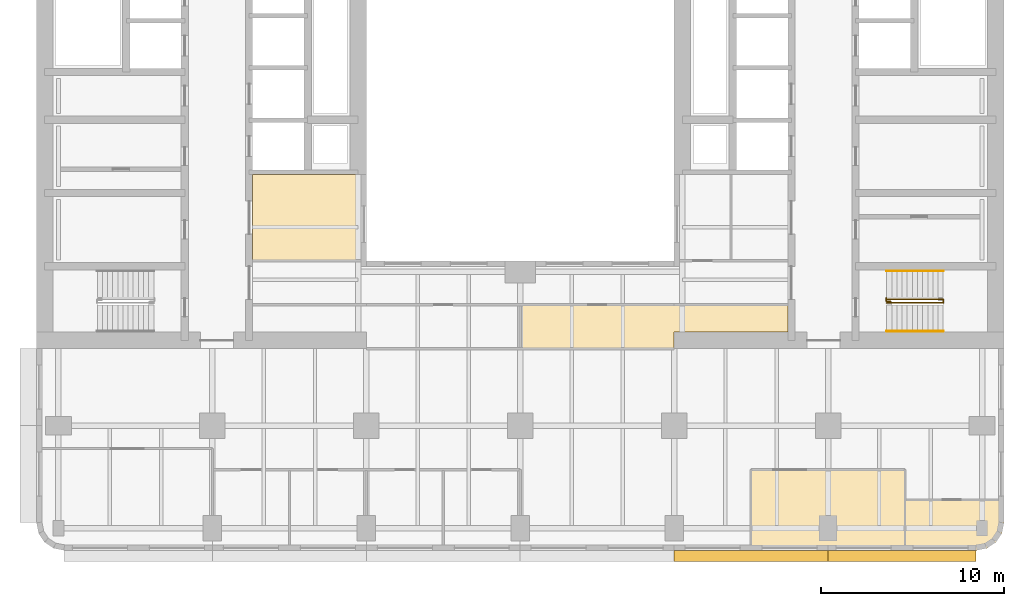
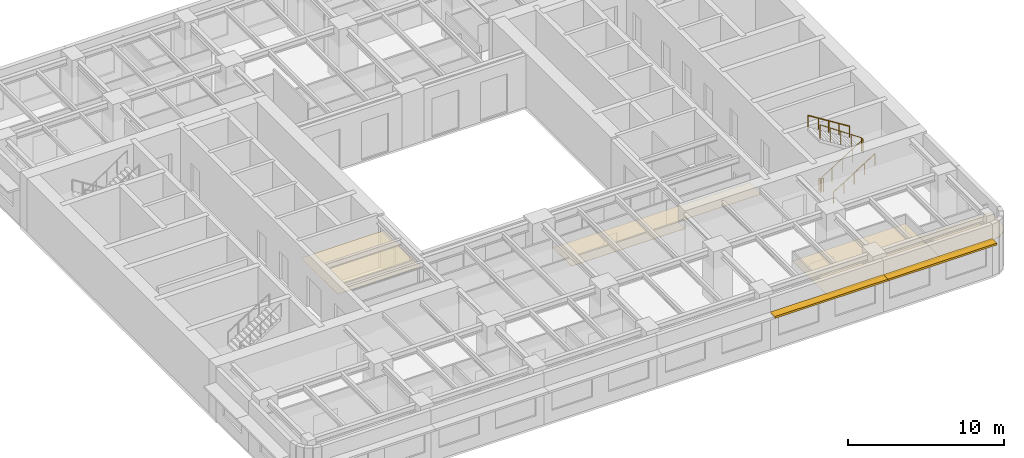
# One storey, part 10 of 11: 4 coverings, 4 railings, 2 shading devices.
"""IFC4 building model written with IfcOpenShell, lengths in metres."""

from ifc_helpers import new_model, si_unit, direction, frame, origin, origin_2d, place, context, subcontext, project, spatial, polyline, rectangle, circle, outline, extrude, material, layer, layer_set, type_object, element, save


model = new_model("IFC4")

# Units and contexts
model_context = context("Model", 3, precision=1e-05, world=origin(), true_north=direction((0.0, 1.0)))
body_context = subcontext(model_context, "Body", "Model", "MODEL_VIEW")
ifc_project = project(units=[si_unit("LENGTHUNIT", "METRE"), si_unit("AREAUNIT", "SQUARE_METRE"), si_unit("VOLUMEUNIT", "CUBIC_METRE"), si_unit("PLANEANGLEUNIT", "RADIAN"), si_unit("MASSUNIT", "GRAM", prefix="KILO")], contexts=[model_context])

# Site, building, storey
site_placement = place(None, origin())
site = spatial("IfcSite", under=ifc_project, at=site_placement, CompositionType="ELEMENT")
building_placement = place(site_placement, origin())
building = spatial("IfcBuilding", under=site, at=building_placement, Name="Claustro Exchange Tower", CompositionType="ELEMENT")
storey_placement = place(building_placement, frame((0.0, 0.0, 113.39990234375)))
storey = spatial("IfcBuildingStorey", under=building, at=storey_placement, Name="L25", CompositionType="ELEMENT", Elevation=113.39990234375)

# Coverings
ifc_material_1 = material(Name="Gypsum board ceiling", Category="gypsum board")
ifc_layer_1 = layer(ifc_material_1, 0.02490234375)
ifc_layer_set_1 = layer_set([ifc_layer_1], Name="Gypsum board ceiling")
covering_type = type_object("IfcCoveringType", Name="CL2 plasterboard ceiling", PredefinedType="CEILING", material=ifc_layer_set_1)
covering_1_placement = place(storey_placement, frame((0.0, 0.0, 2.800048828125)))
element("IfcCovering", 1, at=covering_1_placement, inside=storey, type_object=covering_type, Name="Ceiling CL2 L25-01", PredefinedType="CEILING", context=body_context, shape_type="SweptSolid", body=[
    extrude(outline(polyline([(51.60009765625, 3.10009765625), (51.60009765625, 4.35009765625), (46.199951171875, 4.35009765625), (46.199951171875, 1.60009765625), (50.10009765625, 1.60009765625), (50.674072265625, 1.714111328125), (51.16064453125, 2.039306640625), (51.48583984375, 2.52587890625), (51.60009765625, 3.10009765625)])), origin(), (0.0, 0.0, 1.0), 0.025146484375),
])
covering_2_placement = place(storey_placement, frame((0.0, 0.0, 2.800048828125)))
element("IfcCovering", 2, at=covering_2_placement, inside=storey, type_object=covering_type, Name="Ceiling CL2 L25-06", PredefinedType="CEILING", context=body_context, shape_type="SweptSolid", body=[
    extrude(outline(polyline([(37.800048828125, 1.60009765625), (46.199951171875, 1.60009765625), (46.199951171875, 6.0), (37.800048828125, 6.0), (37.800048828125, 1.60009765625)])), origin(), (0.0, 0.0, 1.0), 0.025146484375),
])
covering_3_placement = place(storey_placement, frame((0.0, 0.0, 2.800048828125)))
element("IfcCovering", 3, at=covering_3_placement, inside=storey, type_object=covering_type, Name="Ceiling CL2 L25-10", PredefinedType="CEILING", context=body_context, shape_type="SweptSolid", body=[
    extrude(outline(polyline([(39.800048828125, 13.5), (39.800048828125, 15.0), (33.60009765625, 15.0), (33.60009765625, 15.0), (25.199951171875, 15.0), (25.199951171875, 12.60009765625), (33.60009765625, 12.60009765625), (33.60009765625, 13.5), (39.800048828125, 13.5)])), origin(), (0.0, 0.0, 1.0), 0.025146484375),
])
covering_4_placement = place(storey_placement, frame((0.0, 0.0, 2.800048828125)))
element("IfcCovering", 4, at=covering_4_placement, inside=storey, type_object=covering_type, Name="Ceiling CL2 L25-12", PredefinedType="CEILING", context=body_context, shape_type="SweptSolid", body=[
    extrude(outline(polyline([(16.800048828125, 17.39990234375), (16.800048828125, 22.10009765625), (10.60009765625, 22.10009765625), (10.60009765625, 17.39990234375), (16.800048828125, 17.39990234375)])), origin(), (0.0, 0.0, 1.0), 0.025146484375),
])

# Railings
ifc_material_2 = material(Name="Steel balustrade, painted", Category="steel")
railing_type_1 = type_object("IfcRailingType", Name="GR2 1100 steel stair guard", PredefinedType="GUARDRAIL", material=ifc_material_2)
railing_1_placement = place(storey_placement, frame((45.199951171875, 15.10009765625, 0.175048828125)))
element("IfcRailing", 5, at=railing_1_placement, inside=storey, type_object=railing_type_1, Name="Stair well guard GR2 stair STEA L25", PredefinedType="GUARDRAIL", context=body_context, shape_type="SweptSolid", body=[
    extrude(circle(Radius=0.02392578125, at=origin_2d()), frame((0.0, 0.0, 1.076171875), z_axis=(0.847998304005, 0.0, 0.529998940003), x_axis=(0.0, 1.0, 0.0)), (0.0, 0.0, 1.0), 3.632080078125),
    extrude(circle(Radius=0.02392578125, at=origin_2d()), frame((3.080078125, 0.0, 3.0009765625), z_axis=(0.0, 1.0, 0.0), x_axis=(-1.0, 0.0, 0.0)), (0.0, 0.0, 1.0), 0.199951171875),
    extrude(circle(Radius=0.02392578125, at=origin_2d()), frame((3.080078125, 0.199951171875, 3.0009765625), z_axis=(-0.826221800596, 0.0, 0.563344953133), x_axis=(0.0, -1.0, 0.0)), (0.0, 0.0, 1.0), 3.72802734375),
    extrude(circle(Radius=0.02099609375, at=origin_2d()), origin(), (0.0, 0.0, 1.0), 1.052001953125),
    extrude(circle(Radius=0.02099609375, at=origin_2d()), frame((0.77001953125, 0.0, 0.481201171875)), (0.0, 0.0, 1.0), 1.052001953125),
    extrude(circle(Radius=0.02099609375, at=origin_2d()), frame((1.5400390625, 0.0, 0.96240234375)), (0.0, 0.0, 1.0), 1.052001953125),
    extrude(circle(Radius=0.02099609375, at=origin_2d()), frame((2.31005859375, 0.0, 1.44384765625)), (0.0, 0.0, 1.0), 1.052001953125),
    extrude(circle(Radius=0.02099609375, at=origin_2d()), frame((3.080078125, 0.0, 1.925048828125)), (0.0, 0.0, 1.0), 1.052001953125),
    extrude(circle(Radius=0.02099609375, at=origin_2d()), frame((3.080078125, 0.199951171875, 1.925048828125)), (0.0, 0.0, 1.0), 1.052001953125),
    extrude(circle(Radius=0.02099609375, at=origin_2d()), frame((2.31005859375, 0.199951171875, 2.4501953125)), (0.0, 0.0, 1.0), 1.052001953125),
    extrude(circle(Radius=0.02099609375, at=origin_2d()), frame((1.5400390625, 0.199951171875, 2.97509765625)), (0.0, 0.0, 1.0), 1.052001953125),
    extrude(circle(Radius=0.02099609375, at=origin_2d()), frame((0.77001953125, 0.199951171875, 3.5)), (0.0, 0.0, 1.0), 1.052001953125),
    extrude(circle(Radius=0.02099609375, at=origin_2d()), frame((0.0, 0.199951171875, 4.025146484375)), (0.0, 0.0, 1.0), 1.052001953125),
])
railing_2_placement = place(storey_placement, frame((45.39990234375, 15.169921875, 0.0)))
element("IfcRailing", 6, at=railing_2_placement, inside=storey, type_object=railing_type_1, Name="Stair guard GR2 STEA L25", PredefinedType="GUARDRAIL", context=body_context, shape_type="SweptSolid", body=[
    extrude(circle(Radius=0.02392578125, at=origin_2d()), frame((0.0, 0.0, 1.076171875), z_axis=(0.0, 1.0, 0.0), x_axis=(-1.0, 0.0, 0.0)), (0.0, 0.0, 1.0), 0.030029296875),
    extrude(circle(Radius=0.02392578125, at=origin_2d()), frame((0.0, 0.030029296875, 1.076171875), z_axis=(-1.0, 0.0, 0.0), x_axis=(0.0, -1.0, 0.0)), (0.0, 0.0, 1.0), 0.224853515625),
    extrude(circle(Radius=0.02392578125, at=origin_2d()), frame((-0.224853515625, 0.030029296875, 1.076171875), z_axis=(0.0, 1.0, 0.0), x_axis=(-1.0, 0.0, 0.0)), (0.0, 0.0, 1.0), 0.179931640625),
    extrude(circle(Radius=0.02099609375, at=origin_2d()), origin(), (0.0, 0.0, 1.0), 1.052001953125),
    extrude(circle(Radius=0.02099609375, at=origin_2d()), frame((0.0, 0.030029296875, 0.0)), (0.0, 0.0, 1.0), 1.052001953125),
    extrude(circle(Radius=0.02099609375, at=origin_2d()), frame((-0.224853515625, 0.030029296875, 0.0)), (0.0, 0.0, 1.0), 1.052001953125),
    extrude(circle(Radius=0.02099609375, at=origin_2d()), frame((-0.224853515625, 0.2099609375, 0.0)), (0.0, 0.0, 1.0), 1.052001953125),
])
ifc_material_3 = material(Name="Stainless steel tube", Category="steel")
railing_type_2 = type_object("IfcRailingType", Name="HR1 900 stair handrail", PredefinedType="HANDRAIL", material=ifc_material_3)
railing_3_placement = place(storey_placement, frame((45.199951171875, 13.56005859375, 0.175048828125)))
element("IfcRailing", 7, at=railing_3_placement, inside=storey, type_object=railing_type_2, Name="Handrail HR1 stair STEA L25", PredefinedType="HANDRAIL", context=body_context, shape_type="SweptSolid", body=[
    extrude(circle(Radius=0.02392578125, at=origin_2d()), frame((0.0, 0.0, 0.8759765625), z_axis=(0.847998304005, 0.0, 0.529998940003), x_axis=(0.0, 1.0, 0.0)), (0.0, 0.0, 1.0), 3.632080078125),
    extrude(circle(Radius=0.02099609375, at=origin_2d()), origin(), (0.0, 0.0, 1.0), 0.851806640625),
    extrude(circle(Radius=0.02099609375, at=origin_2d()), frame((0.77001953125, 0.0, 0.481201171875)), (0.0, 0.0, 1.0), 0.851806640625),
    extrude(circle(Radius=0.02099609375, at=origin_2d()), frame((1.5400390625, 0.0, 0.96240234375)), (0.0, 0.0, 1.0), 0.851806640625),
    extrude(circle(Radius=0.02099609375, at=origin_2d()), frame((2.31005859375, 0.0, 1.44384765625)), (0.0, 0.0, 1.0), 0.851806640625),
    extrude(circle(Radius=0.02099609375, at=origin_2d()), frame((3.080078125, 0.0, 1.925048828125)), (0.0, 0.0, 1.0), 0.851806640625),
])
railing_4_placement = place(storey_placement, frame((48.280029296875, 16.840087890625, 2.275146484375)))
element("IfcRailing", 8, at=railing_4_placement, inside=storey, type_object=railing_type_2, Name="Handrail HR1 stair STEA L25", PredefinedType="HANDRAIL", context=body_context, shape_type="SweptSolid", body=[
    extrude(circle(Radius=0.02392578125, at=origin_2d()), frame((0.0, 0.0, 0.8759765625), z_axis=(-0.847998304005, 0.0, 0.529998940003), x_axis=(0.0, -1.0, 0.0)), (0.0, 0.0, 1.0), 3.632080078125),
    extrude(circle(Radius=0.02099609375, at=origin_2d()), origin(), (0.0, 0.0, 1.0), 0.851806640625),
    extrude(circle(Radius=0.02099609375, at=origin_2d()), frame((-0.77001953125, 0.0, 0.481201171875)), (0.0, 0.0, 1.0), 0.851806640625),
    extrude(circle(Radius=0.02099609375, at=origin_2d()), frame((-1.5400390625, 0.0, 0.96240234375)), (0.0, 0.0, 1.0), 0.851806640625),
    extrude(circle(Radius=0.02099609375, at=origin_2d()), frame((-2.31005859375, 0.0, 1.44384765625)), (0.0, 0.0, 1.0), 0.851806640625),
    extrude(circle(Radius=0.02099609375, at=origin_2d()), frame((-3.080078125, 0.0, 1.925048828125)), (0.0, 0.0, 1.0), 0.851806640625),
])

# Shading devices
ifc_material_4 = material(Name="Concrete HA-40 (C40/50), precast, white cement, acid-etched", Category="concrete")
ifc_layer_2 = layer(ifc_material_4, 0.14990234375)
ifc_layer_set_2 = layer_set([ifc_layer_2], Name="Concrete HA-40 (C40/50), precast, white cement, acid-etched")
shading_device_type = type_object("IfcShadingDeviceType", Name="SS1 600 precast concrete SUNSHADE", PredefinedType="SHUTTER", material=ifc_layer_set_2)
shading_device_1_placement = place(storey_placement, frame((46.04248046875, 1.300048828125, 2.800048828125), z_axis=(0.0, 0.0, 1.0), x_axis=(-1.0, 0.0, 0.0)))
element("IfcShadingDevice", 9, at=shading_device_1_placement, inside=storey, type_object=shading_device_type, Name="Precast SUNSHADE SS1 L25", PredefinedType="SHUTTER", context=body_context, shape_type="SweptSolid", body=[
    extrude(rectangle(XDim=8.085205078125, YDim=0.60009765625, at=origin_2d()), origin(), (0.0, 0.0, 1.0), 0.14990234375),
])
shading_device_2_placement = place(storey_placement, frame((37.800048828125, 1.300048828125, 2.800048828125), z_axis=(0.0, 0.0, 1.0), x_axis=(-1.0, 0.0, 0.0)))
element("IfcShadingDevice", 10, at=shading_device_2_placement, inside=storey, type_object=shading_device_type, Name="Precast SUNSHADE SS1 L25", PredefinedType="SHUTTER", context=body_context, shape_type="SweptSolid", body=[
    extrude(rectangle(XDim=8.39990234375, YDim=0.60009765625, at=origin_2d()), origin(), (0.0, 0.0, 1.0), 0.14990234375),
])

save(model, "model.ifc")
